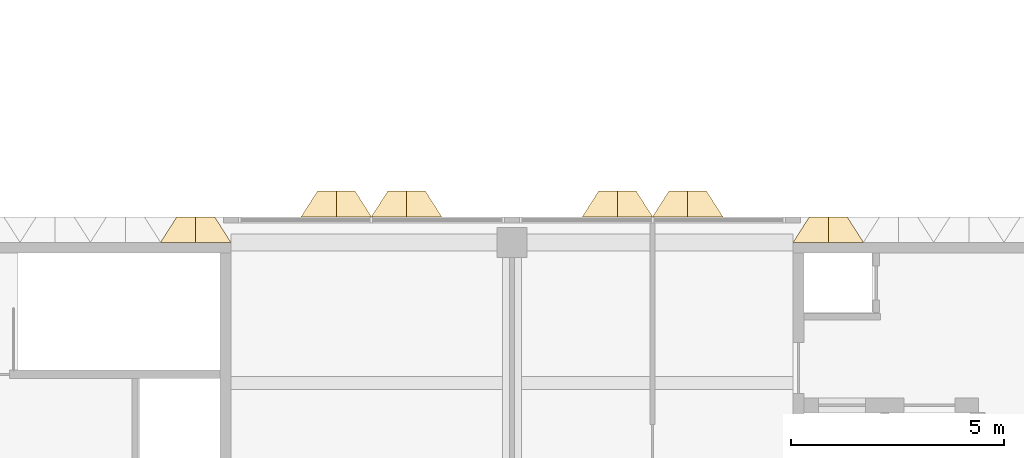
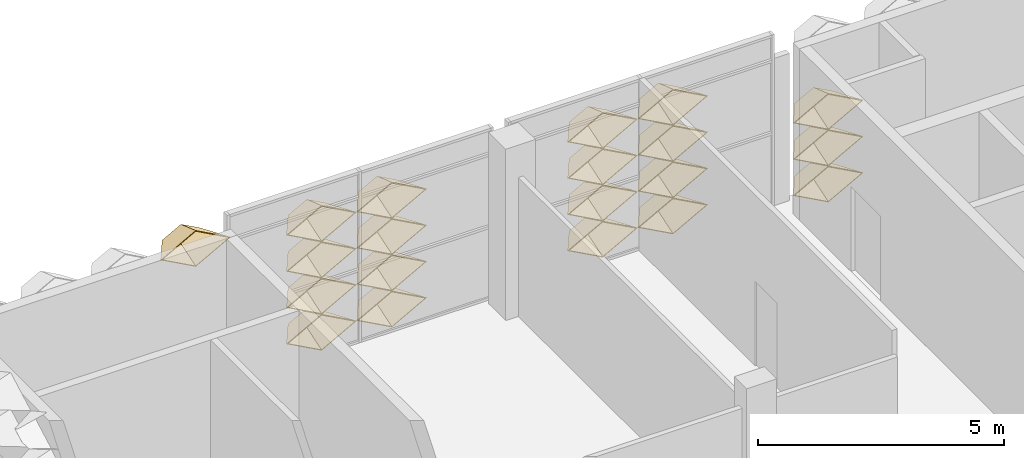
# One storey, part 42 of 61: 20 coverings.
"""IFC4 building model written with IfcOpenShell, lengths in metres."""

from ifc_helpers import new_model, entity, si_unit, direction, frame, origin, place, context, subcontext, project, spatial, material, layer, layer_set, type_object, element, save


model = new_model("IFC4")

# Units and contexts
model_context = context("Model", 3, precision=1e-05, world=origin(), true_north=direction((0.0, 1.0)))
body_context = subcontext(model_context, "Body", "Model", "MODEL_VIEW")
ifc_project = project(units=[si_unit("LENGTHUNIT", "METRE"), si_unit("AREAUNIT", "SQUARE_METRE"), si_unit("VOLUMEUNIT", "CUBIC_METRE"), si_unit("PLANEANGLEUNIT", "RADIAN"), si_unit("MASSUNIT", "GRAM", prefix="KILO")], contexts=[model_context])

# Site, building, storey
site_placement = place(None, origin())
site = spatial("IfcSite", under=ifc_project, at=site_placement, CompositionType="ELEMENT")
building_placement = place(site_placement, origin())
building = spatial("IfcBuilding", under=site, at=building_placement, Name="Lantern Court Research Institute", CompositionType="ELEMENT")
storey_placement = place(building_placement, frame((0.0, 0.0, 23.39990234375)))
storey = spatial("IfcBuildingStorey", under=building, at=storey_placement, Name="L05", CompositionType="ELEMENT", Elevation=23.39990234375)

# Coverings
ifc_material = material(Name="Anodised aluminium", Category="aluminium")
ifc_layer = layer(ifc_material, 0.01611328125)
ifc_layer_set = layer_set([ifc_layer], Name="Anodised aluminium")
covering_type = type_object("IfcCoveringType", Name="Fin cassette 1650 x 900 x 600 aluminium", PredefinedType="CLADDING", material=ifc_layer_set)
covering_1_placement = place(storey_placement, frame((5.77490234375, 23.10009765625, 4.050048828125), z_axis=(0.0, 1.0, 0.0), x_axis=(-1.0, 0.0, 0.0)))
cartesian_point_1 = entity("IfcCartesianPoint", [0.824951171875, 0.0])
cartesian_point_2 = entity("IfcCartesianPoint", [0.79150390625, 0.0])
cartesian_point_3 = entity("IfcCartesianPoint", [0.44189453125, 0.0])
cartesian_point_4 = entity("IfcCartesianPoint", [0.43359375, 0.0])
element("IfcCovering", 1, at=covering_1_placement, inside=storey, type_object=covering_type, Name="Fin cassette V4N-L05 5.4", PredefinedType="CLADDING", context=body_context, shape_type="SweptSolid", body=[
    entity("IfcExtrudedAreaSolidTapered", entity("IfcArbitraryProfileDefWithVoids", "AREA", None, entity("IfcPolyline", [cartesian_point_1, entity("IfcCartesianPoint", [0.0, 0.449951171875]), entity("IfcCartesianPoint", [-0.824951171875, 0.0]), entity("IfcCartesianPoint", [0.0, -0.449951171875]), cartesian_point_1]), [entity("IfcPolyline", [cartesian_point_2, entity("IfcCartesianPoint", [0.0, 0.431884765625]), entity("IfcCartesianPoint", [-0.79150390625, 0.0]), entity("IfcCartesianPoint", [0.0, -0.431884765625]), cartesian_point_2])]), entity("IfcAxis2Placement3D", entity("IfcCartesianPoint", [0.0, 0.0, 0.0])), entity("IfcDirection", [0.0, 0.0, 1.0]), 0.60009765625, entity("IfcArbitraryProfileDefWithVoids", "AREA", None, entity("IfcPolyline", [cartesian_point_3, entity("IfcCartesianPoint", [0.0, 0.240966796875]), entity("IfcCartesianPoint", [-0.44189453125, 0.0]), entity("IfcCartesianPoint", [0.0, -0.240966796875]), cartesian_point_3]), [entity("IfcPolyline", [cartesian_point_4, entity("IfcCartesianPoint", [0.0, 0.236572265625]), entity("IfcCartesianPoint", [-0.43359375, 0.0]), entity("IfcCartesianPoint", [0.0, -0.236572265625]), cartesian_point_4])])),
])
covering_2_placement = place(storey_placement, frame((20.625, 23.10009765625, 0.4501953125), z_axis=(0.0, 1.0, 0.0), x_axis=(-1.0, 0.0, 0.0)))
cartesian_point_5 = entity("IfcCartesianPoint", [0.824951171875, 0.0])
cartesian_point_6 = entity("IfcCartesianPoint", [0.79150390625, 0.0])
cartesian_point_7 = entity("IfcCartesianPoint", [0.44189453125, 0.0])
cartesian_point_8 = entity("IfcCartesianPoint", [0.43359375, 0.0])
element("IfcCovering", 2, at=covering_2_placement, inside=storey, type_object=covering_type, Name="Fin cassette V4N-L05 1.13", PredefinedType="CLADDING", context=body_context, shape_type="SweptSolid", body=[
    entity("IfcExtrudedAreaSolidTapered", entity("IfcArbitraryProfileDefWithVoids", "AREA", None, entity("IfcPolyline", [cartesian_point_5, entity("IfcCartesianPoint", [0.0, 0.449951171875]), entity("IfcCartesianPoint", [-0.824951171875, 0.0]), entity("IfcCartesianPoint", [0.0, -0.449951171875]), cartesian_point_5]), [entity("IfcPolyline", [cartesian_point_6, entity("IfcCartesianPoint", [0.0, 0.431884765625]), entity("IfcCartesianPoint", [-0.79150390625, 0.0]), entity("IfcCartesianPoint", [0.0, -0.431884765625]), cartesian_point_6])]), entity("IfcAxis2Placement3D", entity("IfcCartesianPoint", [0.0, 0.0, 0.0])), entity("IfcDirection", [0.0, 0.0, 1.0]), 0.60009765625, entity("IfcArbitraryProfileDefWithVoids", "AREA", None, entity("IfcPolyline", [cartesian_point_7, entity("IfcCartesianPoint", [0.0, 0.240966796875]), entity("IfcCartesianPoint", [-0.44189453125, 0.0]), entity("IfcCartesianPoint", [0.0, -0.240966796875]), cartesian_point_7]), [entity("IfcPolyline", [cartesian_point_8, entity("IfcCartesianPoint", [0.0, 0.236572265625]), entity("IfcCartesianPoint", [-0.43359375, 0.0]), entity("IfcCartesianPoint", [0.0, -0.236572265625]), cartesian_point_8])])),
])
covering_3_placement = place(storey_placement, frame((20.625, 23.10009765625, 1.35009765625), z_axis=(0.0, 1.0, 0.0), x_axis=(-1.0, 0.0, 0.0)))
cartesian_point_9 = entity("IfcCartesianPoint", [0.824951171875, 0.0])
cartesian_point_10 = entity("IfcCartesianPoint", [0.79150390625, 0.0])
cartesian_point_11 = entity("IfcCartesianPoint", [0.44189453125, 0.0])
cartesian_point_12 = entity("IfcCartesianPoint", [0.43359375, 0.0])
element("IfcCovering", 3, at=covering_3_placement, inside=storey, type_object=covering_type, Name="Fin cassette V4N-L05 2.13", PredefinedType="CLADDING", context=body_context, shape_type="SweptSolid", body=[
    entity("IfcExtrudedAreaSolidTapered", entity("IfcArbitraryProfileDefWithVoids", "AREA", None, entity("IfcPolyline", [cartesian_point_9, entity("IfcCartesianPoint", [0.0, 0.449951171875]), entity("IfcCartesianPoint", [-0.824951171875, 0.0]), entity("IfcCartesianPoint", [0.0, -0.449951171875]), cartesian_point_9]), [entity("IfcPolyline", [cartesian_point_10, entity("IfcCartesianPoint", [0.0, 0.431884765625]), entity("IfcCartesianPoint", [-0.79150390625, 0.0]), entity("IfcCartesianPoint", [0.0, -0.431884765625]), cartesian_point_10])]), entity("IfcAxis2Placement3D", entity("IfcCartesianPoint", [0.0, 0.0, 0.0])), entity("IfcDirection", [0.0, 0.0, 1.0]), 0.60009765625, entity("IfcArbitraryProfileDefWithVoids", "AREA", None, entity("IfcPolyline", [cartesian_point_11, entity("IfcCartesianPoint", [0.0, 0.240966796875]), entity("IfcCartesianPoint", [-0.44189453125, 0.0]), entity("IfcCartesianPoint", [0.0, -0.240966796875]), cartesian_point_11]), [entity("IfcPolyline", [cartesian_point_12, entity("IfcCartesianPoint", [0.0, 0.236572265625]), entity("IfcCartesianPoint", [-0.43359375, 0.0]), entity("IfcCartesianPoint", [0.0, -0.236572265625]), cartesian_point_12])])),
])
covering_4_placement = place(storey_placement, frame((20.625, 23.10009765625, 2.25), z_axis=(0.0, 1.0, 0.0), x_axis=(-1.0, 0.0, 0.0)))
cartesian_point_13 = entity("IfcCartesianPoint", [0.824951171875, 0.0])
cartesian_point_14 = entity("IfcCartesianPoint", [0.79150390625, 0.0])
cartesian_point_15 = entity("IfcCartesianPoint", [0.44189453125, 0.0])
cartesian_point_16 = entity("IfcCartesianPoint", [0.43359375, 0.0])
element("IfcCovering", 4, at=covering_4_placement, inside=storey, type_object=covering_type, Name="Fin cassette V4N-L05 3.13", PredefinedType="CLADDING", context=body_context, shape_type="SweptSolid", body=[
    entity("IfcExtrudedAreaSolidTapered", entity("IfcArbitraryProfileDefWithVoids", "AREA", None, entity("IfcPolyline", [cartesian_point_13, entity("IfcCartesianPoint", [0.0, 0.449951171875]), entity("IfcCartesianPoint", [-0.824951171875, 0.0]), entity("IfcCartesianPoint", [0.0, -0.449951171875]), cartesian_point_13]), [entity("IfcPolyline", [cartesian_point_14, entity("IfcCartesianPoint", [0.0, 0.431884765625]), entity("IfcCartesianPoint", [-0.79150390625, 0.0]), entity("IfcCartesianPoint", [0.0, -0.431884765625]), cartesian_point_14])]), entity("IfcAxis2Placement3D", entity("IfcCartesianPoint", [0.0, 0.0, 0.0])), entity("IfcDirection", [0.0, 0.0, 1.0]), 0.60009765625, entity("IfcArbitraryProfileDefWithVoids", "AREA", None, entity("IfcPolyline", [cartesian_point_15, entity("IfcCartesianPoint", [0.0, 0.240966796875]), entity("IfcCartesianPoint", [-0.44189453125, 0.0]), entity("IfcCartesianPoint", [0.0, -0.240966796875]), cartesian_point_15]), [entity("IfcPolyline", [cartesian_point_16, entity("IfcCartesianPoint", [0.0, 0.236572265625]), entity("IfcCartesianPoint", [-0.43359375, 0.0]), entity("IfcCartesianPoint", [0.0, -0.236572265625]), cartesian_point_16])])),
])
covering_5_placement = place(storey_placement, frame((9.074951171875, 23.699951171875, 0.4501953125), z_axis=(0.0, 1.0, 0.0), x_axis=(-1.0, 0.0, 0.0)))
cartesian_point_17 = entity("IfcCartesianPoint", [0.824951171875, 0.0])
cartesian_point_18 = entity("IfcCartesianPoint", [0.79150390625, 0.0])
cartesian_point_19 = entity("IfcCartesianPoint", [0.44189453125, 0.0])
cartesian_point_20 = entity("IfcCartesianPoint", [0.43359375, 0.0])
element("IfcCovering", 5, at=covering_5_placement, inside=storey, type_object=covering_type, Name="Fin cassette V4N-L05 1.6", PredefinedType="CLADDING", context=body_context, shape_type="SweptSolid", body=[
    entity("IfcExtrudedAreaSolidTapered", entity("IfcArbitraryProfileDefWithVoids", "AREA", None, entity("IfcPolyline", [cartesian_point_17, entity("IfcCartesianPoint", [0.0, 0.449951171875]), entity("IfcCartesianPoint", [-0.824951171875, 0.0]), entity("IfcCartesianPoint", [0.0, -0.449951171875]), cartesian_point_17]), [entity("IfcPolyline", [cartesian_point_18, entity("IfcCartesianPoint", [0.0, 0.431884765625]), entity("IfcCartesianPoint", [-0.79150390625, 0.0]), entity("IfcCartesianPoint", [0.0, -0.431884765625]), cartesian_point_18])]), entity("IfcAxis2Placement3D", entity("IfcCartesianPoint", [0.0, 0.0, 0.0])), entity("IfcDirection", [0.0, 0.0, 1.0]), 0.60009765625, entity("IfcArbitraryProfileDefWithVoids", "AREA", None, entity("IfcPolyline", [cartesian_point_19, entity("IfcCartesianPoint", [0.0, 0.240966796875]), entity("IfcCartesianPoint", [-0.44189453125, 0.0]), entity("IfcCartesianPoint", [0.0, -0.240966796875]), cartesian_point_19]), [entity("IfcPolyline", [cartesian_point_20, entity("IfcCartesianPoint", [0.0, 0.236572265625]), entity("IfcCartesianPoint", [-0.43359375, 0.0]), entity("IfcCartesianPoint", [0.0, -0.236572265625]), cartesian_point_20])])),
])
covering_6_placement = place(storey_placement, frame((10.72509765625, 23.699951171875, 0.4501953125), z_axis=(0.0, 1.0, 0.0), x_axis=(-1.0, 0.0, 0.0)))
cartesian_point_21 = entity("IfcCartesianPoint", [0.824951171875, 0.0])
cartesian_point_22 = entity("IfcCartesianPoint", [0.79150390625, 0.0])
cartesian_point_23 = entity("IfcCartesianPoint", [0.44189453125, 0.0])
cartesian_point_24 = entity("IfcCartesianPoint", [0.43359375, 0.0])
element("IfcCovering", 6, at=covering_6_placement, inside=storey, type_object=covering_type, Name="Fin cassette V4N-L05 1.7", PredefinedType="CLADDING", context=body_context, shape_type="SweptSolid", body=[
    entity("IfcExtrudedAreaSolidTapered", entity("IfcArbitraryProfileDefWithVoids", "AREA", None, entity("IfcPolyline", [cartesian_point_21, entity("IfcCartesianPoint", [0.0, 0.449951171875]), entity("IfcCartesianPoint", [-0.824951171875, 0.0]), entity("IfcCartesianPoint", [0.0, -0.449951171875]), cartesian_point_21]), [entity("IfcPolyline", [cartesian_point_22, entity("IfcCartesianPoint", [0.0, 0.431884765625]), entity("IfcCartesianPoint", [-0.79150390625, 0.0]), entity("IfcCartesianPoint", [0.0, -0.431884765625]), cartesian_point_22])]), entity("IfcAxis2Placement3D", entity("IfcCartesianPoint", [0.0, 0.0, 0.0])), entity("IfcDirection", [0.0, 0.0, 1.0]), 0.60009765625, entity("IfcArbitraryProfileDefWithVoids", "AREA", None, entity("IfcPolyline", [cartesian_point_23, entity("IfcCartesianPoint", [0.0, 0.240966796875]), entity("IfcCartesianPoint", [-0.44189453125, 0.0]), entity("IfcCartesianPoint", [0.0, -0.240966796875]), cartesian_point_23]), [entity("IfcPolyline", [cartesian_point_24, entity("IfcCartesianPoint", [0.0, 0.236572265625]), entity("IfcCartesianPoint", [-0.43359375, 0.0]), entity("IfcCartesianPoint", [0.0, -0.236572265625]), cartesian_point_24])])),
])
covering_7_placement = place(storey_placement, frame((15.675048828125, 23.699951171875, 0.4501953125), z_axis=(0.0, 1.0, 0.0), x_axis=(-1.0, 0.0, 0.0)))
cartesian_point_25 = entity("IfcCartesianPoint", [0.824951171875, 0.0])
cartesian_point_26 = entity("IfcCartesianPoint", [0.79150390625, 0.0])
cartesian_point_27 = entity("IfcCartesianPoint", [0.44189453125, 0.0])
cartesian_point_28 = entity("IfcCartesianPoint", [0.43359375, 0.0])
element("IfcCovering", 7, at=covering_7_placement, inside=storey, type_object=covering_type, Name="Fin cassette V4N-L05 1.10", PredefinedType="CLADDING", context=body_context, shape_type="SweptSolid", body=[
    entity("IfcExtrudedAreaSolidTapered", entity("IfcArbitraryProfileDefWithVoids", "AREA", None, entity("IfcPolyline", [cartesian_point_25, entity("IfcCartesianPoint", [0.0, 0.449951171875]), entity("IfcCartesianPoint", [-0.824951171875, 0.0]), entity("IfcCartesianPoint", [0.0, -0.449951171875]), cartesian_point_25]), [entity("IfcPolyline", [cartesian_point_26, entity("IfcCartesianPoint", [0.0, 0.431884765625]), entity("IfcCartesianPoint", [-0.79150390625, 0.0]), entity("IfcCartesianPoint", [0.0, -0.431884765625]), cartesian_point_26])]), entity("IfcAxis2Placement3D", entity("IfcCartesianPoint", [0.0, 0.0, 0.0])), entity("IfcDirection", [0.0, 0.0, 1.0]), 0.60009765625, entity("IfcArbitraryProfileDefWithVoids", "AREA", None, entity("IfcPolyline", [cartesian_point_27, entity("IfcCartesianPoint", [0.0, 0.240966796875]), entity("IfcCartesianPoint", [-0.44189453125, 0.0]), entity("IfcCartesianPoint", [0.0, -0.240966796875]), cartesian_point_27]), [entity("IfcPolyline", [cartesian_point_28, entity("IfcCartesianPoint", [0.0, 0.236572265625]), entity("IfcCartesianPoint", [-0.43359375, 0.0]), entity("IfcCartesianPoint", [0.0, -0.236572265625]), cartesian_point_28])])),
])
covering_8_placement = place(storey_placement, frame((17.324951171875, 23.699951171875, 0.4501953125), z_axis=(0.0, 1.0, 0.0), x_axis=(-1.0, 0.0, 0.0)))
cartesian_point_29 = entity("IfcCartesianPoint", [0.824951171875, 0.0])
cartesian_point_30 = entity("IfcCartesianPoint", [0.79150390625, 0.0])
cartesian_point_31 = entity("IfcCartesianPoint", [0.44189453125, 0.0])
cartesian_point_32 = entity("IfcCartesianPoint", [0.43359375, 0.0])
element("IfcCovering", 8, at=covering_8_placement, inside=storey, type_object=covering_type, Name="Fin cassette V4N-L05 1.11", PredefinedType="CLADDING", context=body_context, shape_type="SweptSolid", body=[
    entity("IfcExtrudedAreaSolidTapered", entity("IfcArbitraryProfileDefWithVoids", "AREA", None, entity("IfcPolyline", [cartesian_point_29, entity("IfcCartesianPoint", [0.0, 0.449951171875]), entity("IfcCartesianPoint", [-0.824951171875, 0.0]), entity("IfcCartesianPoint", [0.0, -0.449951171875]), cartesian_point_29]), [entity("IfcPolyline", [cartesian_point_30, entity("IfcCartesianPoint", [0.0, 0.431884765625]), entity("IfcCartesianPoint", [-0.79150390625, 0.0]), entity("IfcCartesianPoint", [0.0, -0.431884765625]), cartesian_point_30])]), entity("IfcAxis2Placement3D", entity("IfcCartesianPoint", [0.0, 0.0, 0.0])), entity("IfcDirection", [0.0, 0.0, 1.0]), 0.60009765625, entity("IfcArbitraryProfileDefWithVoids", "AREA", None, entity("IfcPolyline", [cartesian_point_31, entity("IfcCartesianPoint", [0.0, 0.240966796875]), entity("IfcCartesianPoint", [-0.44189453125, 0.0]), entity("IfcCartesianPoint", [0.0, -0.240966796875]), cartesian_point_31]), [entity("IfcPolyline", [cartesian_point_32, entity("IfcCartesianPoint", [0.0, 0.236572265625]), entity("IfcCartesianPoint", [-0.43359375, 0.0]), entity("IfcCartesianPoint", [0.0, -0.236572265625]), cartesian_point_32])])),
])
covering_9_placement = place(storey_placement, frame((9.074951171875, 23.699951171875, 1.35009765625), z_axis=(0.0, 1.0, 0.0), x_axis=(-1.0, 0.0, 0.0)))
cartesian_point_33 = entity("IfcCartesianPoint", [0.824951171875, 0.0])
cartesian_point_34 = entity("IfcCartesianPoint", [0.79150390625, 0.0])
cartesian_point_35 = entity("IfcCartesianPoint", [0.44189453125, 0.0])
cartesian_point_36 = entity("IfcCartesianPoint", [0.43359375, 0.0])
element("IfcCovering", 9, at=covering_9_placement, inside=storey, type_object=covering_type, Name="Fin cassette V4N-L05 2.6", PredefinedType="CLADDING", context=body_context, shape_type="SweptSolid", body=[
    entity("IfcExtrudedAreaSolidTapered", entity("IfcArbitraryProfileDefWithVoids", "AREA", None, entity("IfcPolyline", [cartesian_point_33, entity("IfcCartesianPoint", [0.0, 0.449951171875]), entity("IfcCartesianPoint", [-0.824951171875, 0.0]), entity("IfcCartesianPoint", [0.0, -0.449951171875]), cartesian_point_33]), [entity("IfcPolyline", [cartesian_point_34, entity("IfcCartesianPoint", [0.0, 0.431884765625]), entity("IfcCartesianPoint", [-0.79150390625, 0.0]), entity("IfcCartesianPoint", [0.0, -0.431884765625]), cartesian_point_34])]), entity("IfcAxis2Placement3D", entity("IfcCartesianPoint", [0.0, 0.0, 0.0])), entity("IfcDirection", [0.0, 0.0, 1.0]), 0.60009765625, entity("IfcArbitraryProfileDefWithVoids", "AREA", None, entity("IfcPolyline", [cartesian_point_35, entity("IfcCartesianPoint", [0.0, 0.240966796875]), entity("IfcCartesianPoint", [-0.44189453125, 0.0]), entity("IfcCartesianPoint", [0.0, -0.240966796875]), cartesian_point_35]), [entity("IfcPolyline", [cartesian_point_36, entity("IfcCartesianPoint", [0.0, 0.236572265625]), entity("IfcCartesianPoint", [-0.43359375, 0.0]), entity("IfcCartesianPoint", [0.0, -0.236572265625]), cartesian_point_36])])),
])
covering_10_placement = place(storey_placement, frame((10.72509765625, 23.699951171875, 1.35009765625), z_axis=(0.0, 1.0, 0.0), x_axis=(-1.0, 0.0, 0.0)))
cartesian_point_37 = entity("IfcCartesianPoint", [0.824951171875, 0.0])
cartesian_point_38 = entity("IfcCartesianPoint", [0.79150390625, 0.0])
cartesian_point_39 = entity("IfcCartesianPoint", [0.44189453125, 0.0])
cartesian_point_40 = entity("IfcCartesianPoint", [0.43359375, 0.0])
element("IfcCovering", 10, at=covering_10_placement, inside=storey, type_object=covering_type, Name="Fin cassette V4N-L05 2.7", PredefinedType="CLADDING", context=body_context, shape_type="SweptSolid", body=[
    entity("IfcExtrudedAreaSolidTapered", entity("IfcArbitraryProfileDefWithVoids", "AREA", None, entity("IfcPolyline", [cartesian_point_37, entity("IfcCartesianPoint", [0.0, 0.449951171875]), entity("IfcCartesianPoint", [-0.824951171875, 0.0]), entity("IfcCartesianPoint", [0.0, -0.449951171875]), cartesian_point_37]), [entity("IfcPolyline", [cartesian_point_38, entity("IfcCartesianPoint", [0.0, 0.431884765625]), entity("IfcCartesianPoint", [-0.79150390625, 0.0]), entity("IfcCartesianPoint", [0.0, -0.431884765625]), cartesian_point_38])]), entity("IfcAxis2Placement3D", entity("IfcCartesianPoint", [0.0, 0.0, 0.0])), entity("IfcDirection", [0.0, 0.0, 1.0]), 0.60009765625, entity("IfcArbitraryProfileDefWithVoids", "AREA", None, entity("IfcPolyline", [cartesian_point_39, entity("IfcCartesianPoint", [0.0, 0.240966796875]), entity("IfcCartesianPoint", [-0.44189453125, 0.0]), entity("IfcCartesianPoint", [0.0, -0.240966796875]), cartesian_point_39]), [entity("IfcPolyline", [cartesian_point_40, entity("IfcCartesianPoint", [0.0, 0.236572265625]), entity("IfcCartesianPoint", [-0.43359375, 0.0]), entity("IfcCartesianPoint", [0.0, -0.236572265625]), cartesian_point_40])])),
])
covering_11_placement = place(storey_placement, frame((15.675048828125, 23.699951171875, 1.35009765625), z_axis=(0.0, 1.0, 0.0), x_axis=(-1.0, 0.0, 0.0)))
cartesian_point_41 = entity("IfcCartesianPoint", [0.824951171875, 0.0])
cartesian_point_42 = entity("IfcCartesianPoint", [0.79150390625, 0.0])
cartesian_point_43 = entity("IfcCartesianPoint", [0.44189453125, 0.0])
cartesian_point_44 = entity("IfcCartesianPoint", [0.43359375, 0.0])
element("IfcCovering", 11, at=covering_11_placement, inside=storey, type_object=covering_type, Name="Fin cassette V4N-L05 2.10", PredefinedType="CLADDING", context=body_context, shape_type="SweptSolid", body=[
    entity("IfcExtrudedAreaSolidTapered", entity("IfcArbitraryProfileDefWithVoids", "AREA", None, entity("IfcPolyline", [cartesian_point_41, entity("IfcCartesianPoint", [0.0, 0.449951171875]), entity("IfcCartesianPoint", [-0.824951171875, 0.0]), entity("IfcCartesianPoint", [0.0, -0.449951171875]), cartesian_point_41]), [entity("IfcPolyline", [cartesian_point_42, entity("IfcCartesianPoint", [0.0, 0.431884765625]), entity("IfcCartesianPoint", [-0.79150390625, 0.0]), entity("IfcCartesianPoint", [0.0, -0.431884765625]), cartesian_point_42])]), entity("IfcAxis2Placement3D", entity("IfcCartesianPoint", [0.0, 0.0, 0.0])), entity("IfcDirection", [0.0, 0.0, 1.0]), 0.60009765625, entity("IfcArbitraryProfileDefWithVoids", "AREA", None, entity("IfcPolyline", [cartesian_point_43, entity("IfcCartesianPoint", [0.0, 0.240966796875]), entity("IfcCartesianPoint", [-0.44189453125, 0.0]), entity("IfcCartesianPoint", [0.0, -0.240966796875]), cartesian_point_43]), [entity("IfcPolyline", [cartesian_point_44, entity("IfcCartesianPoint", [0.0, 0.236572265625]), entity("IfcCartesianPoint", [-0.43359375, 0.0]), entity("IfcCartesianPoint", [0.0, -0.236572265625]), cartesian_point_44])])),
])
covering_12_placement = place(storey_placement, frame((17.324951171875, 23.699951171875, 1.35009765625), z_axis=(0.0, 1.0, 0.0), x_axis=(-1.0, 0.0, 0.0)))
cartesian_point_45 = entity("IfcCartesianPoint", [0.824951171875, 0.0])
cartesian_point_46 = entity("IfcCartesianPoint", [0.79150390625, 0.0])
cartesian_point_47 = entity("IfcCartesianPoint", [0.44189453125, 0.0])
cartesian_point_48 = entity("IfcCartesianPoint", [0.43359375, 0.0])
element("IfcCovering", 12, at=covering_12_placement, inside=storey, type_object=covering_type, Name="Fin cassette V4N-L05 2.11", PredefinedType="CLADDING", context=body_context, shape_type="SweptSolid", body=[
    entity("IfcExtrudedAreaSolidTapered", entity("IfcArbitraryProfileDefWithVoids", "AREA", None, entity("IfcPolyline", [cartesian_point_45, entity("IfcCartesianPoint", [0.0, 0.449951171875]), entity("IfcCartesianPoint", [-0.824951171875, 0.0]), entity("IfcCartesianPoint", [0.0, -0.449951171875]), cartesian_point_45]), [entity("IfcPolyline", [cartesian_point_46, entity("IfcCartesianPoint", [0.0, 0.431884765625]), entity("IfcCartesianPoint", [-0.79150390625, 0.0]), entity("IfcCartesianPoint", [0.0, -0.431884765625]), cartesian_point_46])]), entity("IfcAxis2Placement3D", entity("IfcCartesianPoint", [0.0, 0.0, 0.0])), entity("IfcDirection", [0.0, 0.0, 1.0]), 0.60009765625, entity("IfcArbitraryProfileDefWithVoids", "AREA", None, entity("IfcPolyline", [cartesian_point_47, entity("IfcCartesianPoint", [0.0, 0.240966796875]), entity("IfcCartesianPoint", [-0.44189453125, 0.0]), entity("IfcCartesianPoint", [0.0, -0.240966796875]), cartesian_point_47]), [entity("IfcPolyline", [cartesian_point_48, entity("IfcCartesianPoint", [0.0, 0.236572265625]), entity("IfcCartesianPoint", [-0.43359375, 0.0]), entity("IfcCartesianPoint", [0.0, -0.236572265625]), cartesian_point_48])])),
])
covering_13_placement = place(storey_placement, frame((9.074951171875, 23.699951171875, 2.25), z_axis=(0.0, 1.0, 0.0), x_axis=(-1.0, 0.0, 0.0)))
cartesian_point_49 = entity("IfcCartesianPoint", [0.824951171875, 0.0])
cartesian_point_50 = entity("IfcCartesianPoint", [0.79150390625, 0.0])
cartesian_point_51 = entity("IfcCartesianPoint", [0.44189453125, 0.0])
cartesian_point_52 = entity("IfcCartesianPoint", [0.43359375, 0.0])
element("IfcCovering", 13, at=covering_13_placement, inside=storey, type_object=covering_type, Name="Fin cassette V4N-L05 3.6", PredefinedType="CLADDING", context=body_context, shape_type="SweptSolid", body=[
    entity("IfcExtrudedAreaSolidTapered", entity("IfcArbitraryProfileDefWithVoids", "AREA", None, entity("IfcPolyline", [cartesian_point_49, entity("IfcCartesianPoint", [0.0, 0.449951171875]), entity("IfcCartesianPoint", [-0.824951171875, 0.0]), entity("IfcCartesianPoint", [0.0, -0.449951171875]), cartesian_point_49]), [entity("IfcPolyline", [cartesian_point_50, entity("IfcCartesianPoint", [0.0, 0.431884765625]), entity("IfcCartesianPoint", [-0.79150390625, 0.0]), entity("IfcCartesianPoint", [0.0, -0.431884765625]), cartesian_point_50])]), entity("IfcAxis2Placement3D", entity("IfcCartesianPoint", [0.0, 0.0, 0.0])), entity("IfcDirection", [0.0, 0.0, 1.0]), 0.60009765625, entity("IfcArbitraryProfileDefWithVoids", "AREA", None, entity("IfcPolyline", [cartesian_point_51, entity("IfcCartesianPoint", [0.0, 0.240966796875]), entity("IfcCartesianPoint", [-0.44189453125, 0.0]), entity("IfcCartesianPoint", [0.0, -0.240966796875]), cartesian_point_51]), [entity("IfcPolyline", [cartesian_point_52, entity("IfcCartesianPoint", [0.0, 0.236572265625]), entity("IfcCartesianPoint", [-0.43359375, 0.0]), entity("IfcCartesianPoint", [0.0, -0.236572265625]), cartesian_point_52])])),
])
covering_14_placement = place(storey_placement, frame((10.72509765625, 23.699951171875, 2.25), z_axis=(0.0, 1.0, 0.0), x_axis=(-1.0, 0.0, 0.0)))
cartesian_point_53 = entity("IfcCartesianPoint", [0.824951171875, 0.0])
cartesian_point_54 = entity("IfcCartesianPoint", [0.79150390625, 0.0])
cartesian_point_55 = entity("IfcCartesianPoint", [0.44189453125, 0.0])
cartesian_point_56 = entity("IfcCartesianPoint", [0.43359375, 0.0])
element("IfcCovering", 14, at=covering_14_placement, inside=storey, type_object=covering_type, Name="Fin cassette V4N-L05 3.7", PredefinedType="CLADDING", context=body_context, shape_type="SweptSolid", body=[
    entity("IfcExtrudedAreaSolidTapered", entity("IfcArbitraryProfileDefWithVoids", "AREA", None, entity("IfcPolyline", [cartesian_point_53, entity("IfcCartesianPoint", [0.0, 0.449951171875]), entity("IfcCartesianPoint", [-0.824951171875, 0.0]), entity("IfcCartesianPoint", [0.0, -0.449951171875]), cartesian_point_53]), [entity("IfcPolyline", [cartesian_point_54, entity("IfcCartesianPoint", [0.0, 0.431884765625]), entity("IfcCartesianPoint", [-0.79150390625, 0.0]), entity("IfcCartesianPoint", [0.0, -0.431884765625]), cartesian_point_54])]), entity("IfcAxis2Placement3D", entity("IfcCartesianPoint", [0.0, 0.0, 0.0])), entity("IfcDirection", [0.0, 0.0, 1.0]), 0.60009765625, entity("IfcArbitraryProfileDefWithVoids", "AREA", None, entity("IfcPolyline", [cartesian_point_55, entity("IfcCartesianPoint", [0.0, 0.240966796875]), entity("IfcCartesianPoint", [-0.44189453125, 0.0]), entity("IfcCartesianPoint", [0.0, -0.240966796875]), cartesian_point_55]), [entity("IfcPolyline", [cartesian_point_56, entity("IfcCartesianPoint", [0.0, 0.236572265625]), entity("IfcCartesianPoint", [-0.43359375, 0.0]), entity("IfcCartesianPoint", [0.0, -0.236572265625]), cartesian_point_56])])),
])
covering_15_placement = place(storey_placement, frame((15.675048828125, 23.699951171875, 2.25), z_axis=(0.0, 1.0, 0.0), x_axis=(-1.0, 0.0, 0.0)))
cartesian_point_57 = entity("IfcCartesianPoint", [0.824951171875, 0.0])
cartesian_point_58 = entity("IfcCartesianPoint", [0.79150390625, 0.0])
cartesian_point_59 = entity("IfcCartesianPoint", [0.44189453125, 0.0])
cartesian_point_60 = entity("IfcCartesianPoint", [0.43359375, 0.0])
element("IfcCovering", 15, at=covering_15_placement, inside=storey, type_object=covering_type, Name="Fin cassette V4N-L05 3.10", PredefinedType="CLADDING", context=body_context, shape_type="SweptSolid", body=[
    entity("IfcExtrudedAreaSolidTapered", entity("IfcArbitraryProfileDefWithVoids", "AREA", None, entity("IfcPolyline", [cartesian_point_57, entity("IfcCartesianPoint", [0.0, 0.449951171875]), entity("IfcCartesianPoint", [-0.824951171875, 0.0]), entity("IfcCartesianPoint", [0.0, -0.449951171875]), cartesian_point_57]), [entity("IfcPolyline", [cartesian_point_58, entity("IfcCartesianPoint", [0.0, 0.431884765625]), entity("IfcCartesianPoint", [-0.79150390625, 0.0]), entity("IfcCartesianPoint", [0.0, -0.431884765625]), cartesian_point_58])]), entity("IfcAxis2Placement3D", entity("IfcCartesianPoint", [0.0, 0.0, 0.0])), entity("IfcDirection", [0.0, 0.0, 1.0]), 0.60009765625, entity("IfcArbitraryProfileDefWithVoids", "AREA", None, entity("IfcPolyline", [cartesian_point_59, entity("IfcCartesianPoint", [0.0, 0.240966796875]), entity("IfcCartesianPoint", [-0.44189453125, 0.0]), entity("IfcCartesianPoint", [0.0, -0.240966796875]), cartesian_point_59]), [entity("IfcPolyline", [cartesian_point_60, entity("IfcCartesianPoint", [0.0, 0.236572265625]), entity("IfcCartesianPoint", [-0.43359375, 0.0]), entity("IfcCartesianPoint", [0.0, -0.236572265625]), cartesian_point_60])])),
])
covering_16_placement = place(storey_placement, frame((17.324951171875, 23.699951171875, 2.25), z_axis=(0.0, 1.0, 0.0), x_axis=(-1.0, 0.0, 0.0)))
cartesian_point_61 = entity("IfcCartesianPoint", [0.824951171875, 0.0])
cartesian_point_62 = entity("IfcCartesianPoint", [0.79150390625, 0.0])
cartesian_point_63 = entity("IfcCartesianPoint", [0.44189453125, 0.0])
cartesian_point_64 = entity("IfcCartesianPoint", [0.43359375, 0.0])
element("IfcCovering", 16, at=covering_16_placement, inside=storey, type_object=covering_type, Name="Fin cassette V4N-L05 3.11", PredefinedType="CLADDING", context=body_context, shape_type="SweptSolid", body=[
    entity("IfcExtrudedAreaSolidTapered", entity("IfcArbitraryProfileDefWithVoids", "AREA", None, entity("IfcPolyline", [cartesian_point_61, entity("IfcCartesianPoint", [0.0, 0.449951171875]), entity("IfcCartesianPoint", [-0.824951171875, 0.0]), entity("IfcCartesianPoint", [0.0, -0.449951171875]), cartesian_point_61]), [entity("IfcPolyline", [cartesian_point_62, entity("IfcCartesianPoint", [0.0, 0.431884765625]), entity("IfcCartesianPoint", [-0.79150390625, 0.0]), entity("IfcCartesianPoint", [0.0, -0.431884765625]), cartesian_point_62])]), entity("IfcAxis2Placement3D", entity("IfcCartesianPoint", [0.0, 0.0, 0.0])), entity("IfcDirection", [0.0, 0.0, 1.0]), 0.60009765625, entity("IfcArbitraryProfileDefWithVoids", "AREA", None, entity("IfcPolyline", [cartesian_point_63, entity("IfcCartesianPoint", [0.0, 0.240966796875]), entity("IfcCartesianPoint", [-0.44189453125, 0.0]), entity("IfcCartesianPoint", [0.0, -0.240966796875]), cartesian_point_63]), [entity("IfcPolyline", [cartesian_point_64, entity("IfcCartesianPoint", [0.0, 0.236572265625]), entity("IfcCartesianPoint", [-0.43359375, 0.0]), entity("IfcCartesianPoint", [0.0, -0.236572265625]), cartesian_point_64])])),
])
covering_17_placement = place(storey_placement, frame((9.074951171875, 23.699951171875, 3.150146484375), z_axis=(0.0, 1.0, 0.0), x_axis=(-1.0, 0.0, 0.0)))
cartesian_point_65 = entity("IfcCartesianPoint", [0.824951171875, 0.0])
cartesian_point_66 = entity("IfcCartesianPoint", [0.79150390625, 0.0])
cartesian_point_67 = entity("IfcCartesianPoint", [0.44189453125, 0.0])
cartesian_point_68 = entity("IfcCartesianPoint", [0.43359375, 0.0])
element("IfcCovering", 17, at=covering_17_placement, inside=storey, type_object=covering_type, Name="Fin cassette V4N-L05 4.6", PredefinedType="CLADDING", context=body_context, shape_type="SweptSolid", body=[
    entity("IfcExtrudedAreaSolidTapered", entity("IfcArbitraryProfileDefWithVoids", "AREA", None, entity("IfcPolyline", [cartesian_point_65, entity("IfcCartesianPoint", [0.0, 0.449951171875]), entity("IfcCartesianPoint", [-0.824951171875, 0.0]), entity("IfcCartesianPoint", [0.0, -0.449951171875]), cartesian_point_65]), [entity("IfcPolyline", [cartesian_point_66, entity("IfcCartesianPoint", [0.0, 0.431884765625]), entity("IfcCartesianPoint", [-0.79150390625, 0.0]), entity("IfcCartesianPoint", [0.0, -0.431884765625]), cartesian_point_66])]), entity("IfcAxis2Placement3D", entity("IfcCartesianPoint", [0.0, 0.0, 0.0])), entity("IfcDirection", [0.0, 0.0, 1.0]), 0.60009765625, entity("IfcArbitraryProfileDefWithVoids", "AREA", None, entity("IfcPolyline", [cartesian_point_67, entity("IfcCartesianPoint", [0.0, 0.240966796875]), entity("IfcCartesianPoint", [-0.44189453125, 0.0]), entity("IfcCartesianPoint", [0.0, -0.240966796875]), cartesian_point_67]), [entity("IfcPolyline", [cartesian_point_68, entity("IfcCartesianPoint", [0.0, 0.236572265625]), entity("IfcCartesianPoint", [-0.43359375, 0.0]), entity("IfcCartesianPoint", [0.0, -0.236572265625]), cartesian_point_68])])),
])
covering_18_placement = place(storey_placement, frame((10.72509765625, 23.699951171875, 3.150146484375), z_axis=(0.0, 1.0, 0.0), x_axis=(-1.0, 0.0, 0.0)))
cartesian_point_69 = entity("IfcCartesianPoint", [0.824951171875, 0.0])
cartesian_point_70 = entity("IfcCartesianPoint", [0.79150390625, 0.0])
cartesian_point_71 = entity("IfcCartesianPoint", [0.44189453125, 0.0])
cartesian_point_72 = entity("IfcCartesianPoint", [0.43359375, 0.0])
element("IfcCovering", 18, at=covering_18_placement, inside=storey, type_object=covering_type, Name="Fin cassette V4N-L05 4.7", PredefinedType="CLADDING", context=body_context, shape_type="SweptSolid", body=[
    entity("IfcExtrudedAreaSolidTapered", entity("IfcArbitraryProfileDefWithVoids", "AREA", None, entity("IfcPolyline", [cartesian_point_69, entity("IfcCartesianPoint", [0.0, 0.449951171875]), entity("IfcCartesianPoint", [-0.824951171875, 0.0]), entity("IfcCartesianPoint", [0.0, -0.449951171875]), cartesian_point_69]), [entity("IfcPolyline", [cartesian_point_70, entity("IfcCartesianPoint", [0.0, 0.431884765625]), entity("IfcCartesianPoint", [-0.79150390625, 0.0]), entity("IfcCartesianPoint", [0.0, -0.431884765625]), cartesian_point_70])]), entity("IfcAxis2Placement3D", entity("IfcCartesianPoint", [0.0, 0.0, 0.0])), entity("IfcDirection", [0.0, 0.0, 1.0]), 0.60009765625, entity("IfcArbitraryProfileDefWithVoids", "AREA", None, entity("IfcPolyline", [cartesian_point_71, entity("IfcCartesianPoint", [0.0, 0.240966796875]), entity("IfcCartesianPoint", [-0.44189453125, 0.0]), entity("IfcCartesianPoint", [0.0, -0.240966796875]), cartesian_point_71]), [entity("IfcPolyline", [cartesian_point_72, entity("IfcCartesianPoint", [0.0, 0.236572265625]), entity("IfcCartesianPoint", [-0.43359375, 0.0]), entity("IfcCartesianPoint", [0.0, -0.236572265625]), cartesian_point_72])])),
])
covering_19_placement = place(storey_placement, frame((15.675048828125, 23.699951171875, 3.150146484375), z_axis=(0.0, 1.0, 0.0), x_axis=(-1.0, 0.0, 0.0)))
cartesian_point_73 = entity("IfcCartesianPoint", [0.824951171875, 0.0])
cartesian_point_74 = entity("IfcCartesianPoint", [0.79150390625, 0.0])
cartesian_point_75 = entity("IfcCartesianPoint", [0.44189453125, 0.0])
cartesian_point_76 = entity("IfcCartesianPoint", [0.43359375, 0.0])
element("IfcCovering", 19, at=covering_19_placement, inside=storey, type_object=covering_type, Name="Fin cassette V4N-L05 4.10", PredefinedType="CLADDING", context=body_context, shape_type="SweptSolid", body=[
    entity("IfcExtrudedAreaSolidTapered", entity("IfcArbitraryProfileDefWithVoids", "AREA", None, entity("IfcPolyline", [cartesian_point_73, entity("IfcCartesianPoint", [0.0, 0.449951171875]), entity("IfcCartesianPoint", [-0.824951171875, 0.0]), entity("IfcCartesianPoint", [0.0, -0.449951171875]), cartesian_point_73]), [entity("IfcPolyline", [cartesian_point_74, entity("IfcCartesianPoint", [0.0, 0.431884765625]), entity("IfcCartesianPoint", [-0.79150390625, 0.0]), entity("IfcCartesianPoint", [0.0, -0.431884765625]), cartesian_point_74])]), entity("IfcAxis2Placement3D", entity("IfcCartesianPoint", [0.0, 0.0, 0.0])), entity("IfcDirection", [0.0, 0.0, 1.0]), 0.60009765625, entity("IfcArbitraryProfileDefWithVoids", "AREA", None, entity("IfcPolyline", [cartesian_point_75, entity("IfcCartesianPoint", [0.0, 0.240966796875]), entity("IfcCartesianPoint", [-0.44189453125, 0.0]), entity("IfcCartesianPoint", [0.0, -0.240966796875]), cartesian_point_75]), [entity("IfcPolyline", [cartesian_point_76, entity("IfcCartesianPoint", [0.0, 0.236572265625]), entity("IfcCartesianPoint", [-0.43359375, 0.0]), entity("IfcCartesianPoint", [0.0, -0.236572265625]), cartesian_point_76])])),
])
covering_20_placement = place(storey_placement, frame((17.324951171875, 23.699951171875, 3.150146484375), z_axis=(0.0, 1.0, 0.0), x_axis=(-1.0, 0.0, 0.0)))
cartesian_point_77 = entity("IfcCartesianPoint", [0.824951171875, 0.0])
cartesian_point_78 = entity("IfcCartesianPoint", [0.79150390625, 0.0])
cartesian_point_79 = entity("IfcCartesianPoint", [0.44189453125, 0.0])
cartesian_point_80 = entity("IfcCartesianPoint", [0.43359375, 0.0])
element("IfcCovering", 20, at=covering_20_placement, inside=storey, type_object=covering_type, Name="Fin cassette V4N-L05 4.11", PredefinedType="CLADDING", context=body_context, shape_type="SweptSolid", body=[
    entity("IfcExtrudedAreaSolidTapered", entity("IfcArbitraryProfileDefWithVoids", "AREA", None, entity("IfcPolyline", [cartesian_point_77, entity("IfcCartesianPoint", [0.0, 0.449951171875]), entity("IfcCartesianPoint", [-0.824951171875, 0.0]), entity("IfcCartesianPoint", [0.0, -0.449951171875]), cartesian_point_77]), [entity("IfcPolyline", [cartesian_point_78, entity("IfcCartesianPoint", [0.0, 0.431884765625]), entity("IfcCartesianPoint", [-0.79150390625, 0.0]), entity("IfcCartesianPoint", [0.0, -0.431884765625]), cartesian_point_78])]), entity("IfcAxis2Placement3D", entity("IfcCartesianPoint", [0.0, 0.0, 0.0])), entity("IfcDirection", [0.0, 0.0, 1.0]), 0.60009765625, entity("IfcArbitraryProfileDefWithVoids", "AREA", None, entity("IfcPolyline", [cartesian_point_79, entity("IfcCartesianPoint", [0.0, 0.240966796875]), entity("IfcCartesianPoint", [-0.44189453125, 0.0]), entity("IfcCartesianPoint", [0.0, -0.240966796875]), cartesian_point_79]), [entity("IfcPolyline", [cartesian_point_80, entity("IfcCartesianPoint", [0.0, 0.236572265625]), entity("IfcCartesianPoint", [-0.43359375, 0.0]), entity("IfcCartesianPoint", [0.0, -0.236572265625]), cartesian_point_80])])),
])

save(model, "model.ifc")
